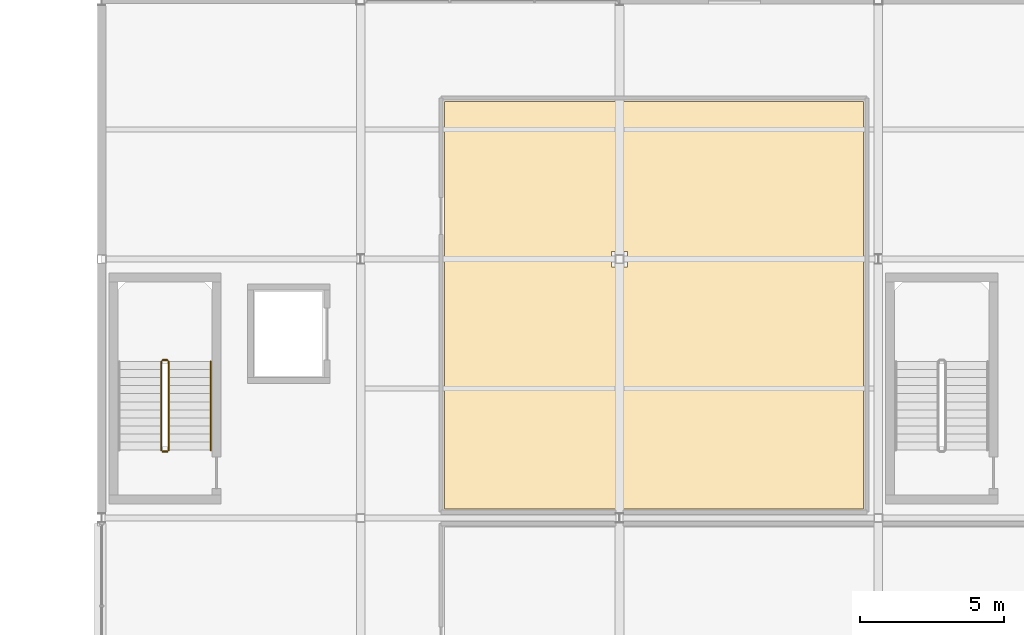
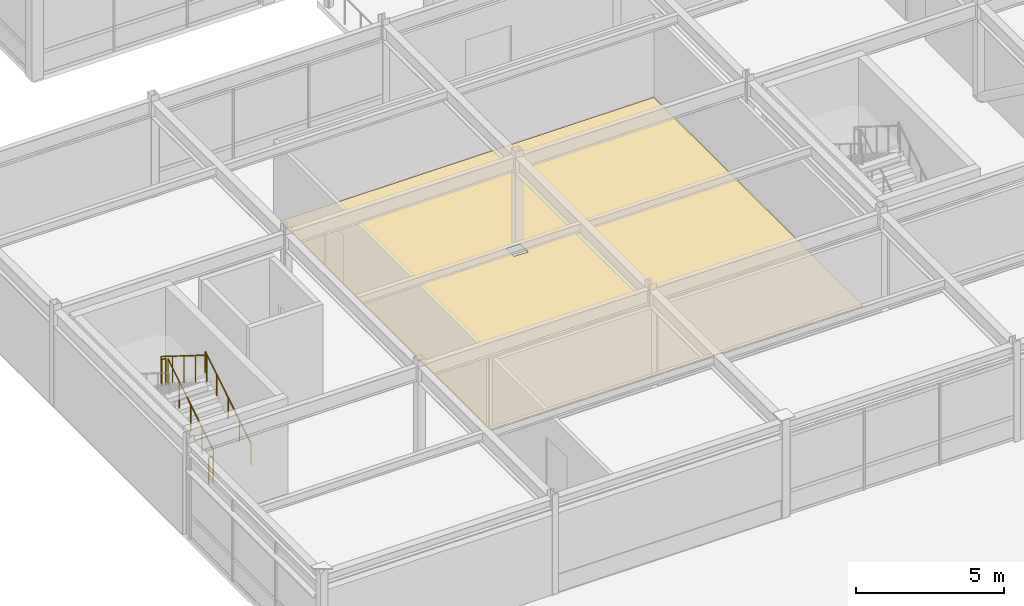
# One storey, part 102 of 108: 5 railings, 1 covering.
"""IFC4 building model written with IfcOpenShell, lengths in metres."""

import ifcopenshell
import ifcopenshell.guid

model = None  # the IFC model being written
_history = None  # IfcOwnerHistory: only IFC2X3 demands one
_inside = {}  # id of a spatial element -> (the spatial element, [elements in it])
_under = {}  # id of a project, library or spatial element -> (it, [spatial elements below it])
_declared = {}  # id of a project -> (the project, [libraries it declares])
_typed = {}  # id of a type object -> (the type object, [elements of that type])
_made_of = {}  # id of a material, layer set ... -> (it, [elements and type objects made of it])


def new_model(schema):
    """Start an empty IFC model of exactly this schema.

    Asked for "IFC4X3", IfcOpenShell would pick the latest addendum, in which some entities
    have other attributes; the version numbers below select the first issue.
    IFC2X3 requires an IfcOwnerHistory on every rooted entity: one is made here for all.
    """
    global model, _history
    if schema == "IFC4X3":
        model = ifcopenshell.file(schema_version=(4, 3, 0, 0))
    else:
        model = ifcopenshell.file(schema=schema)
    _inside.clear()
    _under.clear()
    _declared.clear()
    _typed.clear()
    _made_of.clear()
    _history = None
    if model.schema == "IFC2X3":
        org = make("IfcOrganization", Name="unknown")
        user = make(
            "IfcPersonAndOrganization",
            ThePerson=make("IfcPerson", FamilyName="unknown"),
            TheOrganization=org,
        )
        app = make(
            "IfcApplication",
            ApplicationDeveloper=org,
            Version="unknown",
            ApplicationFullName="unknown",
            ApplicationIdentifier="unknown",
        )
        _history = make(
            "IfcOwnerHistory",
            OwningUser=user,
            OwningApplication=app,
            ChangeAction="ADDED",
            CreationDate=0,
        )
    return model


def make(cls, **values):
    """One entity of the class cls with the attributes given. An attribute that is None is left unset."""
    return model.create_entity(
        cls, **{name: value for name, value in values.items() if value is not None}
    )


def rooted(cls, **values):
    """An entity with a GlobalId (a new one), such as an element, a storey or a relation."""
    return make(cls, GlobalId=ifcopenshell.guid.new(), OwnerHistory=_history, **values)


def si_unit(unit_type, name, prefix=None):
    """IfcSIUnit, for example si_unit("LENGTHUNIT", "METRE", prefix="MILLI")."""
    return make("IfcSIUnit", UnitType=unit_type, Prefix=prefix, Name=name)


def assignment(units):
    """IfcUnitAssignment: the units of a project."""
    return None if units is None else make("IfcUnitAssignment", Units=units)


def point(xyz):
    """IfcCartesianPoint."""
    return None if xyz is None else make("IfcCartesianPoint", Coordinates=xyz)


def direction(xyz):
    """IfcDirection."""
    return None if xyz is None else make("IfcDirection", DirectionRatios=xyz)


def frame(location, z_axis=None, x_axis=None):
    """IfcAxis2Placement3D, a coordinate frame: its origin and axes. An axis left out is left unset."""
    return make(
        "IfcAxis2Placement3D",
        Location=point(location),
        Axis=direction(z_axis),
        RefDirection=direction(x_axis),
    )


def frame_2d(location, x_axis=None):
    """IfcAxis2Placement2D, a coordinate frame in the plane: its origin and x axis."""
    return make(
        "IfcAxis2Placement2D", Location=point(location), RefDirection=direction(x_axis)
    )


def origin():
    """The frame at (0, 0, 0) with its axes left unset."""
    return frame((0.0, 0.0, 0.0))


def origin_2d():
    """The frame at (0, 0) in the plane with its x axis left unset."""
    return frame_2d((0.0, 0.0))


def place(relative_to, where):
    """IfcLocalPlacement: puts the frame where relative to a parent placement (None: the world)."""
    return make(
        "IfcLocalPlacement", PlacementRelTo=relative_to, RelativePlacement=where
    )


def context(
    kind, dimensions, precision=None, world=None, true_north=None, identifier=None
):
    """IfcGeometricRepresentationContext, for example the 3D "Model" context."""
    return make(
        "IfcGeometricRepresentationContext",
        ContextIdentifier=identifier,
        ContextType=kind,
        CoordinateSpaceDimension=dimensions,
        Precision=precision,
        WorldCoordinateSystem=world,
        TrueNorth=true_north,
    )


def subcontext(parent, identifier, kind, view, scale=None):
    """IfcGeometricRepresentationSubContext, for example "Body" below "Model"."""
    return make(
        "IfcGeometricRepresentationSubContext",
        ContextIdentifier=identifier,
        ContextType=kind,
        ParentContext=parent,
        TargetScale=scale,
        TargetView=view,
    )


def project(units=None, contexts=None):
    """IfcProject with its units and contexts."""
    return rooted(
        "IfcProject",
        Name="project",
        RepresentationContexts=contexts,
        UnitsInContext=assignment(units),
    )


def spatial(cls, under=None, at=None, **own):
    """A site, building, storey or space (cls), placed at a placement, below another one or the project."""
    s = rooted(cls, ObjectPlacement=at, **own)
    if under is not None:
        _under.setdefault(under.id(), (under, []))[1].append(s)
    return s


def polyline(points):
    """IfcPolyline through the points."""
    return make("IfcPolyline", Points=[point(p) for p in points])


def profile(cls, at=None, kind="AREA", **sizes):
    """A parametric profile (cls). Its sizes go by their IFC names, for example OverallWidth=200.0."""
    return make(cls, ProfileType=kind, Position=at, **sizes)


def circle(**sizes):
    """IfcCircleProfileDef."""
    return profile("IfcCircleProfileDef", **sizes)


def outline(outer, holes=None, kind="AREA"):
    """IfcArbitraryClosedProfileDef: a profile drawn as a closed curve; with holes, ...WithVoids."""
    if holes is None:
        return make("IfcArbitraryClosedProfileDef", ProfileType=kind, OuterCurve=outer)
    return make(
        "IfcArbitraryProfileDefWithVoids",
        ProfileType=kind,
        OuterCurve=outer,
        InnerCurves=holes,
    )


def extrude(swept, where, along, depth):
    """IfcExtrudedAreaSolid: the profile swept, set in the frame where, extruded along a direction by depth."""
    return make(
        "IfcExtrudedAreaSolid",
        SweptArea=swept,
        Position=where,
        ExtrudedDirection=direction(along),
        Depth=depth,
    )


def shape(context_of_items, identifier, shape_type, items):
    """IfcShapeRepresentation: the items that make up one representation, for example the "Body"."""
    return make(
        "IfcShapeRepresentation",
        ContextOfItems=context_of_items,
        RepresentationIdentifier=identifier,
        RepresentationType=shape_type,
        Items=items,
    )


def material(Name=None, Category=None):
    """IfcMaterial."""
    return make("IfcMaterial", Name=Name, Category=Category)


def layer(
    of_material, thickness, ventilated=None, Name=None, Category=None, Priority=None
):
    """IfcMaterialLayer: one layer of a wall or slab, of a material (None: an air gap)."""
    return make(
        "IfcMaterialLayer",
        Material=of_material,
        LayerThickness=thickness,
        IsVentilated=ventilated,
        Name=Name,
        Category=Category,
        Priority=Priority,
    )


def layer_set(layers, Name=None):
    """IfcMaterialLayerSet."""
    return make("IfcMaterialLayerSet", MaterialLayers=layers, LayerSetName=Name)


def made_of(thing, what):
    """Note that an element or type object is made of a material, layer set ...; save() writes the relation."""
    if what is not None:
        _made_of.setdefault(what.id(), (what, []))[1].append(thing)
    return thing


def type_object(cls, material=None, **own):
    """A type object (cls), such as IfcWallType, which elements share."""
    return made_of(rooted(cls, **own), material)


def element(
    cls,
    number,
    at=None,
    inside=None,
    cuts=None,
    type_object=None,
    material=None,
    context=None,
    identifier="Body",
    shape_type=None,
    held_by="IfcProductDefinitionShape",
    body=None,
    shapes=None,
    **own,
):
    """One element of the class cls, such as IfcWall. Its Tag is "e" and its number.

    at: its placement. inside: the storey or other place that contains it. cuts: it is an
    opening in that element (IfcRelVoidsElement). A single representation is given by context,
    identifier, shape_type and body (its items); several are given by shapes. held_by: the class
    of the entity that holds the representations. save() writes the other relations.
    """
    e = rooted(cls, Tag="e%d" % number, ObjectPlacement=at, **own)
    if body is not None:
        shapes = [shape(context, identifier, shape_type, body)]
    if shapes is not None:
        e.Representation = make(held_by, Representations=shapes)
    if inside is not None:
        _inside.setdefault(inside.id(), (inside, []))[1].append(e)
    if cuts is not None:
        rooted(
            "IfcRelVoidsElement", RelatingBuildingElement=cuts, RelatedOpeningElement=e
        )
    if type_object is not None:
        _typed.setdefault(type_object.id(), (type_object, []))[1].append(e)
    return made_of(e, material)


def aggregate(whole, parts):
    """IfcRelAggregates: a whole, such as a stair, and the parts it consists of."""
    return rooted("IfcRelAggregates", RelatingObject=whole, RelatedObjects=parts)


def save(model, path):
    """Write the relations noted so far, then the file.

    IfcRelAggregates (storeys below a building ...), IfcRelContainedInSpatialStructure (elements
    in a storey), IfcRelDefinesByType, IfcRelAssociatesMaterial and IfcRelDeclares: one each for
    every whole, place, type object, material and project.
    """
    for whole, parts in _under.values():
        aggregate(whole, parts)
    for where, things in _inside.values():
        rooted(
            "IfcRelContainedInSpatialStructure",
            RelatedElements=things,
            RelatingStructure=where,
        )
    for kind, things in _typed.values():
        rooted("IfcRelDefinesByType", RelatedObjects=things, RelatingType=kind)
    for what, things in _made_of.values():
        rooted("IfcRelAssociatesMaterial", RelatedObjects=things, RelatingMaterial=what)
    for by, libraries in _declared.values():
        rooted("IfcRelDeclares", RelatingContext=by, RelatedDefinitions=libraries)
    model.write(path)


model = new_model("IFC4")

# Units and contexts
model_context = context("Model", 3, precision=1e-05, world=origin(), true_north=direction((0.0, 1.0)))
body_context = subcontext(model_context, "Body", "Model", "MODEL_VIEW")
ifc_project = project(units=[si_unit("LENGTHUNIT", "METRE"), si_unit("AREAUNIT", "SQUARE_METRE"), si_unit("VOLUMEUNIT", "CUBIC_METRE"), si_unit("PLANEANGLEUNIT", "RADIAN"), si_unit("MASSUNIT", "GRAM", prefix="KILO")], contexts=[model_context])

# Site, building, storey
site_placement = place(None, origin())
site = spatial("IfcSite", under=ifc_project, at=site_placement, CompositionType="ELEMENT")
building_placement = place(site_placement, origin())
building = spatial("IfcBuilding", under=site, at=building_placement, Name="Suzunagisa Mobility Hub", CompositionType="ELEMENT")
storey_placement = place(building_placement, frame((0.0, 0.0, 9.300048828125)))
storey = spatial("IfcBuildingStorey", under=building, at=storey_placement, Name="L02", CompositionType="ELEMENT", Elevation=9.300048828125)

# Railings
ifc_material_1 = material(Name="Stainless Steel SUS304", Category="metal")
railing_type_1 = type_object("IfcRailingType", Name="Interior Well Guardrail IGR-01", PredefinedType="GUARDRAIL", material=ifc_material_1)
railing_1_placement = place(storey_placement, frame((137.330078125, 20.360107421875, 0.175048828125)))
element("IfcRailing", 1, at=railing_1_placement, inside=storey, type_object=railing_type_1, Name="L02 ST-09 stair guard 1", PredefinedType="GUARDRAIL", context=body_context, shape_type="SweptSolid", body=[
    extrude(circle(Radius=0.02392578125, at=origin_2d()), frame((0.0, 0.0, 1.09619140625), z_axis=(0.0, 0.848009633417, 0.529980812513), x_axis=(-1.0, 0.0, 0.0)), (0.0, 0.0, 1.0), 3.6318359375),
    extrude(circle(Radius=0.02099609375, at=origin_2d()), origin(), (0.0, 0.0, 1.0), 1.072021484375),
    extrude(circle(Radius=0.02099609375, at=origin_2d()), frame((0.0, 0.77001953125, 0.481201171875)), (0.0, 0.0, 1.0), 1.072021484375),
    extrude(circle(Radius=0.02099609375, at=origin_2d()), frame((0.0, 1.5400390625, 0.96240234375)), (0.0, 0.0, 1.0), 1.072021484375),
    extrude(circle(Radius=0.02099609375, at=origin_2d()), frame((0.0, 2.309814453125, 1.443603515625)), (0.0, 0.0, 1.0), 1.072021484375),
    extrude(circle(Radius=0.02099609375, at=origin_2d()), frame((0.0, 3.079833984375, 1.9248046875)), (0.0, 0.0, 1.0), 1.072021484375),
])
railing_2_placement = place(storey_placement, frame((137.280029296875, 23.489990234375, 2.099853515625)))
element("IfcRailing", 2, at=railing_2_placement, inside=storey, type_object=railing_type_1, Name="L02 ST-09 stair guard 2", PredefinedType="GUARDRAIL", context=body_context, shape_type="SweptSolid", body=[
    extrude(circle(Radius=0.02392578125, at=origin_2d()), frame((0.0, 0.0, 1.09619140625), z_axis=(-1.0, 0.0, 0.0), x_axis=(0.0, -1.0, 0.0)), (0.0, 0.0, 1.0), 0.159912109375),
    extrude(circle(Radius=0.02099609375, at=origin_2d()), origin(), (0.0, 0.0, 1.0), 1.072021484375),
    extrude(circle(Radius=0.02099609375, at=origin_2d()), frame((-0.159912109375, 0.0, 0.0)), (0.0, 0.0, 1.0), 1.072021484375),
])
railing_3_placement = place(storey_placement, frame((137.070068359375, 23.43994140625, 2.27490234375)))
element("IfcRailing", 3, at=railing_3_placement, inside=storey, type_object=railing_type_1, Name="L02 ST-09 stair guard 3", PredefinedType="GUARDRAIL", context=body_context, shape_type="SweptSolid", body=[
    extrude(circle(Radius=0.02392578125, at=origin_2d()), frame((0.0, 0.0, 1.09619140625), z_axis=(0.0, -0.847979421464, 0.530029150871), x_axis=(1.0, 0.0, 0.0)), (0.0, 0.0, 1.0), 3.632080078125),
    extrude(circle(Radius=0.02099609375, at=origin_2d()), origin(), (0.0, 0.0, 1.0), 1.072021484375),
    extrude(circle(Radius=0.02099609375, at=origin_2d()), frame((0.0, -0.77001953125, 0.481201171875)), (0.0, 0.0, 1.0), 1.072021484375),
    extrude(circle(Radius=0.02099609375, at=origin_2d()), frame((0.0, -1.5400390625, 0.96240234375)), (0.0, 0.0, 1.0), 1.072021484375),
    extrude(circle(Radius=0.02099609375, at=origin_2d()), frame((0.0, -2.309814453125, 1.44384765625)), (0.0, 0.0, 1.0), 1.072021484375),
    extrude(circle(Radius=0.02099609375, at=origin_2d()), frame((0.0, -3.079833984375, 1.925048828125)), (0.0, 0.0, 1.0), 1.072021484375),
])
railing_4_placement = place(storey_placement, frame((137.280029296875, 20.31005859375, 0.0)))
element("IfcRailing", 4, at=railing_4_placement, inside=storey, type_object=railing_type_1, Name="L02 ST-09 stair guard 4", PredefinedType="GUARDRAIL", context=body_context, shape_type="SweptSolid", body=[
    extrude(circle(Radius=0.02392578125, at=origin_2d()), frame((0.0, 0.0, 1.09619140625), z_axis=(-1.0, 0.0, 0.0), x_axis=(0.0, -1.0, 0.0)), (0.0, 0.0, 1.0), 0.159912109375),
    extrude(circle(Radius=0.02099609375, at=origin_2d()), origin(), (0.0, 0.0, 1.0), 1.072021484375),
    extrude(circle(Radius=0.02099609375, at=origin_2d()), frame((-0.159912109375, 0.0, 0.0)), (0.0, 0.0, 1.0), 1.072021484375),
])

# Covering
ifc_material_2 = material(Name="Polished Aggregate Terrazzo Finish")
ifc_layer = layer(ifc_material_2, 0.02001953125)
ifc_layer_set = layer_set([ifc_layer], Name="Polished Aggregate Terrazzo Finish")
covering_type = type_object("IfcCoveringType", Name="Polished Terrazzo Heavy-Traffic Flooring FLR-01", PredefinedType="FLOORING", material=ifc_layer_set)
covering_placement = place(storey_placement, origin())
element("IfcCovering", 5, at=covering_placement, inside=storey, type_object=covering_type, Name="L02 Clean-Tech Light Fleet Diagnostics Studio L02 Terrazzo Flooring", PredefinedType="FLOORING", context=body_context, shape_type="SweptSolid", body=[
    extrude(outline(polyline([(161.47998046875, 18.320068359375), (146.919921875, 18.320068359375), (146.919921875, 32.47998046875), (161.47998046875, 32.47998046875), (161.47998046875, 18.320068359375)]), holes=[polyline([(153.27001953125, 27.27001953125), (152.72998046875, 27.27001953125), (152.72998046875, 26.72998046875), (153.27001953125, 26.72998046875), (153.27001953125, 27.27001953125)])]), origin(), (0.0, 0.0, 1.0), 0.02001953125),
])

# Railing
railing_type_2 = type_object("IfcRailingType", Name="Tubular Stainless Stair Handrail IHR-01", PredefinedType="HANDRAIL", material=ifc_material_1)
railing_5_placement = place(storey_placement, frame((138.7900390625, 20.360107421875, 0.175048828125)))
element("IfcRailing", 6, at=railing_5_placement, inside=storey, type_object=railing_type_2, Name="L02 ST-09 stair handrail 1", PredefinedType="HANDRAIL", context=body_context, shape_type="SweptSolid", body=[
    extrude(circle(Radius=0.02392578125, at=origin_2d()), frame((0.0, 0.0, 0.8759765625), z_axis=(0.0, 0.848009633417, 0.529980812513), x_axis=(-1.0, 0.0, 0.0)), (0.0, 0.0, 1.0), 3.6318359375),
    extrude(circle(Radius=0.02099609375, at=origin_2d()), origin(), (0.0, 0.0, 1.0), 0.851806640625),
    extrude(circle(Radius=0.02099609375, at=origin_2d()), frame((0.0, 0.77001953125, 0.481201171875)), (0.0, 0.0, 1.0), 0.851806640625),
    extrude(circle(Radius=0.02099609375, at=origin_2d()), frame((0.0, 1.5400390625, 0.96240234375)), (0.0, 0.0, 1.0), 0.851806640625),
    extrude(circle(Radius=0.02099609375, at=origin_2d()), frame((0.0, 2.309814453125, 1.443603515625)), (0.0, 0.0, 1.0), 0.851806640625),
    extrude(circle(Radius=0.02099609375, at=origin_2d()), frame((0.0, 3.079833984375, 1.9248046875)), (0.0, 0.0, 1.0), 0.851806640625),
])

save(model, "model.ifc")
